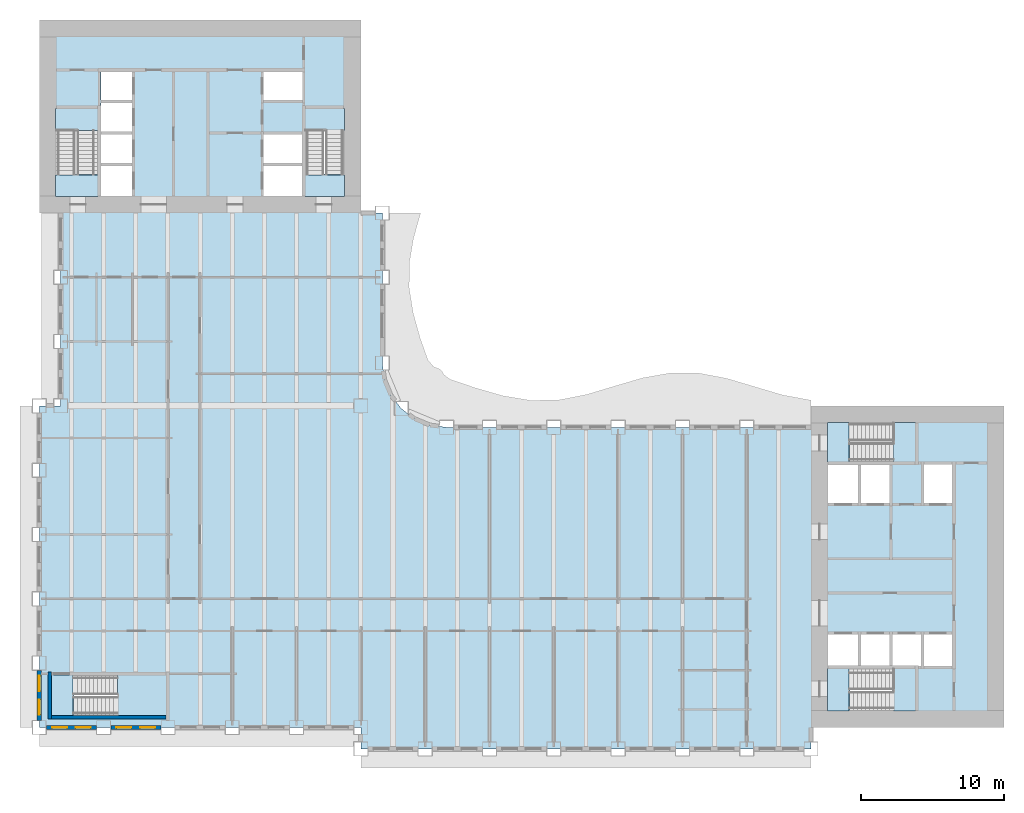
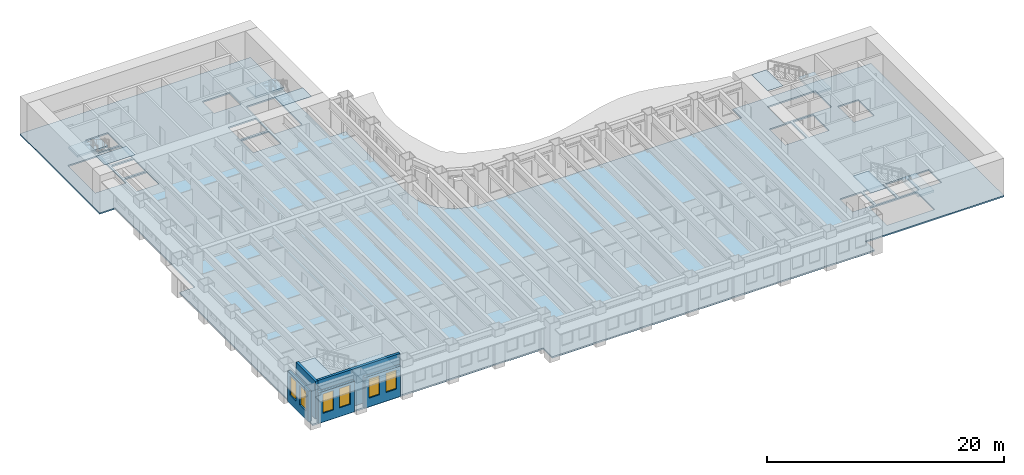
# One storey, part 2 of 16: 11 slabs, 6 windows, 5 walls, 6 openings, 5 elements without a shape of their own.
"""IFC4 building model written with IfcOpenShell, lengths in metres."""

from ifc_helpers import new_model, si_unit, direction, frame, frame_2d, origin, place, context, subcontext, project, spatial, polyline, rectangle, outline, extrude, material, layer, layer_set, type_object, element, fill, aggregate, save


model = new_model("IFC4")

# Units and contexts
model_context = context("Model", 3, precision=1e-05, world=origin(), true_north=direction((0.0, 1.0)))
body_context = subcontext(model_context, "Body", "Model", "MODEL_VIEW")
ifc_project = project(units=[si_unit("LENGTHUNIT", "METRE"), si_unit("AREAUNIT", "SQUARE_METRE"), si_unit("VOLUMEUNIT", "CUBIC_METRE"), si_unit("PLANEANGLEUNIT", "RADIAN"), si_unit("MASSUNIT", "GRAM", prefix="KILO")], contexts=[model_context])

# Site, building, storey
site_placement = place(None, origin())
site = spatial("IfcSite", under=ifc_project, at=site_placement, CompositionType="ELEMENT")
building_placement = place(site_placement, origin())
building = spatial("IfcBuilding", under=site, at=building_placement, Name="Sennacour Bend Tower", CompositionType="ELEMENT")
storey_placement = place(building_placement, frame((0.0, 0.0, 107.0)))
storey = spatial("IfcBuildingStorey", under=building, at=storey_placement, Name="L24", CompositionType="ELEMENT", Elevation=107.0)

# Slabs
ifc_material_1 = material(Name="Concrete C30/37", Category="concrete")
ifc_layer_1 = layer(ifc_material_1, 0.14990234375, Name="Concrete C30/37", Category="concrete")
ifc_layer_set_1 = layer_set([ifc_layer_1], Name="Concrete C30/37")
slab_type_1 = type_object("IfcSlabType", Name="Floor slab 150", PredefinedType="FLOOR", material=ifc_layer_set_1)
slab_1_placement = place(storey_placement, frame((0.0, 0.0, -0.14990234375)))
element("IfcSlab", 1, at=slab_1_placement, inside=storey, type_object=slab_type_1, Name="Floor slab L24-01", PredefinedType="FLOOR", context=body_context, shape_type="SweptSolid", body=[
    extrude(outline(polyline([(22.5, 0.0), (0.0, 0.0), (0.0, 22.5), (1.5, 22.5), (1.5, 36.0), (0.0, 36.0), (0.0, 49.5), (22.5, 49.5), (22.5, 36.0), (24.0, 36.0), (24.0, 25.5), (24.1533203125, 24.335205078125), (24.602783203125, 23.25), (25.318115234375, 22.318115234375), (26.25, 21.602783203125), (27.335205078125, 21.1533203125), (28.5, 21.0), (54.0, 21.0), (54.0, 22.5), (67.5, 22.5), (67.5, 0.0), (54.0, 0.0), (54.0, -1.5), (22.5, -1.5), (22.5, 0.0)]), holes=[polyline([(8.800048828125, 0.949951171875), (8.800048828125, 3.5), (2.429931640625, 3.5), (2.429931640625, 0.949951171875), (8.800048828125, 0.949951171875)]), polyline([(6.5, 37.199951171875), (6.5, 39.300048828125), (4.300048828125, 39.300048828125), (4.300048828125, 37.199951171875), (6.5, 37.199951171875)]), polyline([(18.39990234375, 37.199951171875), (18.39990234375, 39.300048828125), (15.699951171875, 39.300048828125), (15.699951171875, 37.199951171875), (18.39990234375, 37.199951171875)]), polyline([(6.5, 39.5), (6.5, 41.5), (4.300048828125, 41.5), (4.300048828125, 39.5), (6.5, 39.5)]), polyline([(18.39990234375, 39.5), (18.39990234375, 41.5), (15.699951171875, 41.5), (15.699951171875, 39.5), (18.39990234375, 39.5)]), polyline([(4.125, 38.72998046875), (4.125, 43.39990234375), (1.14990234375, 43.39990234375), (1.14990234375, 38.72998046875), (4.125, 38.72998046875)]), polyline([(21.35009765625, 38.72998046875), (21.35009765625, 43.39990234375), (18.574951171875, 43.39990234375), (18.574951171875, 38.72998046875), (21.35009765625, 38.72998046875)]), polyline([(4.300048828125, 41.699951171875), (6.5, 41.699951171875), (6.5, 43.699951171875), (4.300048828125, 43.699951171875), (4.300048828125, 41.699951171875)]), polyline([(4.300048828125, 43.89990234375), (6.5, 43.89990234375), (6.5, 45.89990234375), (4.300048828125, 45.89990234375), (4.300048828125, 43.89990234375)]), polyline([(18.39990234375, 43.89990234375), (18.39990234375, 45.89990234375), (15.699951171875, 45.89990234375), (15.699951171875, 43.89990234375), (18.39990234375, 43.89990234375)]), polyline([(61.39990234375, 1.14990234375), (61.39990234375, 4.125), (56.72998046875, 4.125), (56.72998046875, 1.14990234375), (61.39990234375, 1.14990234375)]), polyline([(57.300048828125, 4.300048828125), (57.300048828125, 6.5), (55.199951171875, 6.5), (55.199951171875, 4.300048828125), (57.300048828125, 4.300048828125)]), polyline([(57.5, 4.300048828125), (59.5, 4.300048828125), (59.5, 6.5), (57.5, 6.5), (57.5, 4.300048828125)]), polyline([(59.699951171875, 4.300048828125), (61.699951171875, 4.300048828125), (61.699951171875, 6.5), (59.699951171875, 6.5), (59.699951171875, 4.300048828125)]), polyline([(63.89990234375, 4.300048828125), (63.89990234375, 6.5), (61.89990234375, 6.5), (61.89990234375, 4.300048828125), (63.89990234375, 4.300048828125)]), polyline([(57.300048828125, 15.699951171875), (57.300048828125, 18.39990234375), (55.199951171875, 18.39990234375), (55.199951171875, 15.699951171875), (57.300048828125, 15.699951171875)]), polyline([(59.5, 15.699951171875), (59.5, 18.39990234375), (57.5, 18.39990234375), (57.5, 15.699951171875), (59.5, 15.699951171875)]), polyline([(61.89990234375, 15.699951171875), (63.89990234375, 15.699951171875), (63.89990234375, 18.39990234375), (61.89990234375, 18.39990234375), (61.89990234375, 15.699951171875)]), polyline([(56.72998046875, 18.574951171875), (61.39990234375, 18.574951171875), (61.39990234375, 21.35009765625), (56.72998046875, 21.35009765625), (56.72998046875, 18.574951171875)])]), origin(), (0.0, 0.0, 1.0), 0.14990234375),
])
ifc_material_2 = material(Name="Concrete C40/50", Category="concrete")
ifc_layer_2 = layer(ifc_material_2, 0.034912109375, Name="Concrete C40/50", Category="concrete")
ifc_layer_set_2 = layer_set([ifc_layer_2], Name="Concrete C40/50")
slab_type_2 = type_object("IfcSlabType", Name="Stair arrival nib 35", PredefinedType="FLOOR", material=ifc_layer_set_2)
slab_2_placement = place(storey_placement, frame((0.0, 0.0, 3.815185546875)))
element("IfcSlab", 2, at=slab_2_placement, inside=storey, type_object=slab_type_2, Name="L24 SA1 stair arrival nib", PredefinedType="FLOOR", context=body_context, shape_type="SweptSolid", body=[
    extrude(outline(polyline([(56.64208984375, 4.125), (55.14990234375, 4.125), (55.14990234375, 1.14990234375), (56.64208984375, 1.14990234375), (56.64208984375, 4.125)])), origin(), (0.0, 0.0, 1.0), 0.034912109375),
])
slab_3_placement = place(storey_placement, frame((0.0, 0.0, 3.815185546875)))
element("IfcSlab", 3, at=slab_3_placement, inside=storey, type_object=slab_type_2, Name="L24 SA2 stair arrival nib", PredefinedType="FLOOR", context=body_context, shape_type="SweptSolid", body=[
    extrude(outline(polyline([(56.64208984375, 21.35009765625), (55.14990234375, 21.35009765625), (55.14990234375, 18.574951171875), (56.64208984375, 18.574951171875), (56.64208984375, 21.35009765625)])), origin(), (0.0, 0.0, 1.0), 0.034912109375),
])
slab_4_placement = place(storey_placement, frame((0.0, 0.0, 3.815185546875)))
element("IfcSlab", 4, at=slab_4_placement, inside=storey, type_object=slab_type_2, Name="L24 SB1 stair arrival nib", PredefinedType="FLOOR", context=body_context, shape_type="SweptSolid", body=[
    extrude(outline(polyline([(1.14990234375, 38.64208984375), (1.14990234375, 37.14990234375), (4.125, 37.14990234375), (4.125, 38.64208984375), (1.14990234375, 38.64208984375)])), origin(), (0.0, 0.0, 1.0), 0.034912109375),
])
slab_5_placement = place(storey_placement, frame((0.0, 0.0, 3.815185546875)))
element("IfcSlab", 5, at=slab_5_placement, inside=storey, type_object=slab_type_2, Name="L24 SB2 stair arrival nib", PredefinedType="FLOOR", context=body_context, shape_type="SweptSolid", body=[
    extrude(outline(polyline([(18.574951171875, 38.64208984375), (18.574951171875, 37.14990234375), (21.35009765625, 37.14990234375), (21.35009765625, 38.64208984375), (18.574951171875, 38.64208984375)])), origin(), (0.0, 0.0, 1.0), 0.034912109375),
])
slab_6_placement = place(storey_placement, frame((0.0, 0.0, 3.815185546875)))
element("IfcSlab", 6, at=slab_6_placement, inside=storey, type_object=slab_type_2, Name="L24 SK1 stair arrival nib", PredefinedType="FLOOR", context=body_context, shape_type="SweptSolid", body=[
    extrude(outline(polyline([(2.342041015625, 3.675048828125), (0.800048828125, 3.675048828125), (0.800048828125, 0.800048828125), (2.342041015625, 0.800048828125), (2.342041015625, 3.675048828125)])), origin(), (0.0, 0.0, 1.0), 0.034912109375),
])

# Stair, slab
stair_type = type_object("IfcStairType", Name="ST-DOGLEG", PredefinedType="HALF_TURN_STAIR", material=ifc_material_2)
stair_1_placement = place(storey_placement, origin())
stair_1 = element("IfcStair", 7, at=stair_1_placement, inside=storey, type_object=stair_type, Name="L24 Exit stair A1", PredefinedType="HALF_TURN_STAIR")
ifc_layer_3 = layer(ifc_material_2, 0.199951171875, Name="Concrete C40/50", Category="concrete")
ifc_layer_set_3 = layer_set([ifc_layer_3], Name="Concrete C40/50")
slab_type_3 = type_object("IfcSlabType", Name="Stair landing 200", PredefinedType="LANDING", material=ifc_layer_set_3)
slab_7_placement = place(storey_placement, frame((0.0, 0.0, 1.800048828125)))
slab_7 = element("IfcSlab", 8, at=slab_7_placement, type_object=slab_type_3, Name="SA1 landing 1", PredefinedType="LANDING", context=body_context, shape_type="SweptSolid", body=[
    extrude(outline(polyline([(59.780029296875, 1.14990234375), (61.324951171875, 1.14990234375), (61.324951171875, 4.125), (59.780029296875, 4.125), (59.780029296875, 1.14990234375)])), origin(), (0.0, 0.0, 1.0), 0.199951171875),
])
aggregate(stair_1, [slab_7])

stair_2_placement = place(storey_placement, origin())
stair_2 = element("IfcStair", 9, at=stair_2_placement, inside=storey, type_object=stair_type, Name="L24 Exit stair A2", PredefinedType="HALF_TURN_STAIR")
slab_8_placement = place(storey_placement, frame((0.0, 0.0, 1.800048828125)))
slab_8 = element("IfcSlab", 10, at=slab_8_placement, type_object=slab_type_3, Name="SA2 landing 1", PredefinedType="LANDING", context=body_context, shape_type="SweptSolid", body=[
    extrude(outline(polyline([(59.780029296875, 18.574951171875), (61.324951171875, 18.574951171875), (61.324951171875, 21.35009765625), (59.780029296875, 21.35009765625), (59.780029296875, 18.574951171875)])), origin(), (0.0, 0.0, 1.0), 0.199951171875),
])
aggregate(stair_2, [slab_8])

stair_3_placement = place(storey_placement, origin())
stair_3 = element("IfcStair", 11, at=stair_3_placement, inside=storey, type_object=stair_type, Name="L24 Exit stair B1", PredefinedType="HALF_TURN_STAIR")
slab_9_placement = place(storey_placement, frame((0.0, 0.0, 1.800048828125)))
slab_9 = element("IfcSlab", 12, at=slab_9_placement, type_object=slab_type_3, Name="SB1 landing 1", PredefinedType="LANDING", context=body_context, shape_type="SweptSolid", body=[
    extrude(outline(polyline([(1.14990234375, 41.780029296875), (4.125, 41.780029296875), (4.125, 43.324951171875), (1.14990234375, 43.324951171875), (1.14990234375, 41.780029296875)])), origin(), (0.0, 0.0, 1.0), 0.199951171875),
])
aggregate(stair_3, [slab_9])

stair_4_placement = place(storey_placement, origin())
stair_4 = element("IfcStair", 13, at=stair_4_placement, inside=storey, type_object=stair_type, Name="L24 Exit stair B2", PredefinedType="HALF_TURN_STAIR")
slab_10_placement = place(storey_placement, frame((0.0, 0.0, 1.800048828125)))
slab_10 = element("IfcSlab", 14, at=slab_10_placement, type_object=slab_type_3, Name="SB2 landing 1", PredefinedType="LANDING", context=body_context, shape_type="SweptSolid", body=[
    extrude(outline(polyline([(18.574951171875, 41.780029296875), (21.35009765625, 41.780029296875), (21.35009765625, 43.324951171875), (18.574951171875, 43.324951171875), (18.574951171875, 41.780029296875)])), origin(), (0.0, 0.0, 1.0), 0.199951171875),
])
aggregate(stair_4, [slab_10])

stair_5_placement = place(storey_placement, origin())
stair_5 = element("IfcStair", 15, at=stair_5_placement, inside=storey, type_object=stair_type, Name="L24 Exit stair K1", PredefinedType="HALF_TURN_STAIR")
slab_11_placement = place(storey_placement, frame((0.0, 0.0, 1.800048828125)))
slab_11 = element("IfcSlab", 16, at=slab_11_placement, type_object=slab_type_3, Name="SK1 landing 1", PredefinedType="LANDING", context=body_context, shape_type="SweptSolid", body=[
    extrude(outline(polyline([(5.47998046875, 0.800048828125), (8.925048828125, 0.800048828125), (8.925048828125, 3.675048828125), (5.47998046875, 3.675048828125), (5.47998046875, 0.800048828125)])), origin(), (0.0, 0.0, 1.0), 0.199951171875),
])
aggregate(stair_5, [slab_11])

# Wall, openings, windows
ifc_material_3 = material(Name="Warm limestone cladding", Category="masonry")
ifc_layer_4 = layer(ifc_material_3, 0.050048828125, Name="Warm limestone cladding", Category="masonry")
ifc_material_4 = material(Name="Precast concrete C40/50", Category="concrete")
ifc_layer_5 = layer(ifc_material_4, 0.25, Name="Precast concrete C40/50", Category="concrete")
ifc_layer_set_4 = layer_set([ifc_layer_4, ifc_layer_5], Name="Precast concrete C40/50 with limestone cladding")
wall_type_1 = type_object("IfcWallType", Name="STONE-CLAD PRECAST SPANDREL 300", PredefinedType="STANDARD", material=ifc_layer_set_4)
wall_1_placement = place(storey_placement, frame((0.0, 4.0, 0.0), z_axis=(0.0, 0.0, 1.0), x_axis=(0.0, -1.0, 0.0)))
wall_1 = element("IfcWall", 17, at=wall_1_placement, inside=storey, type_object=wall_type_1, Name="Stone spandrel and pier wall L24 21.04", PredefinedType="STANDARD", context=body_context, shape_type="SweptSolid", body=[
    extrude(rectangle(XDim=3.5, YDim=0.300048828125, at=frame_2d((1.75, 0.0))), origin(), (0.0, 0.0, 1.0), 3.154052734375),
])
opening_1_placement = place(wall_1_placement, frame((0.39990234375, 0.0, 0.89990234375)))
opening_1 = element("IfcOpeningElement", 18, at=opening_1_placement, cuts=wall_1, Name="Opening W13", PredefinedType="OPENING", context=body_context, shape_type="SweptSolid", body=[
    extrude(rectangle(XDim=1.050048828125, YDim=2.0, at=frame_2d((0.52490234375, 1.0))), frame((0.0, 0.16015625, 0.0), z_axis=(0.0, -1.0, 0.0), x_axis=(1.0, 0.0, 0.0)), (0.0, 0.0, 1.0), 0.320068359375),
])
opening_2_placement = place(wall_1_placement, frame((2.050048828125, 0.0, 0.89990234375)))
opening_2 = element("IfcOpeningElement", 19, at=opening_2_placement, cuts=wall_1, Name="Opening W13", PredefinedType="OPENING", context=body_context, shape_type="SweptSolid", body=[
    extrude(rectangle(XDim=1.050048828125, YDim=2.0, at=frame_2d((0.52490234375, 1.0))), frame((0.0, 0.16015625, 0.0), z_axis=(0.0, -1.0, 0.0), x_axis=(1.0, 0.0, 0.0)), (0.0, 0.0, 1.0), 0.320068359375),
])
ifc_material_5 = material(Name="Clear low-emissivity glass", Category="glass")
window_type = type_object("IfcWindowType", Name="WIN-RIBBON-1050x2000", PartitioningType="SINGLE_PANEL", PredefinedType="WINDOW", material=ifc_material_5)
window_1_placement = place(opening_1_placement, origin())
window_1 = element("IfcWindow", 20, at=window_1_placement, inside=storey, type_object=window_type, Name="Ribbon window L24 21.04.0", OverallHeight=2.0, OverallWidth=1.050048828125, PartitioningType="SINGLE_PANEL", PredefinedType="WINDOW", context=body_context, shape_type="SweptSolid", body=[
    extrude(rectangle(XDim=1.050048828125, YDim=2.0, at=frame_2d((0.52490234375, 1.0))), frame((0.0, 0.030029296875, 0.0), z_axis=(0.0, -1.0, 0.0), x_axis=(1.0, 0.0, 0.0)), (0.0, 0.0, 1.0), 0.06005859375),
])
fill(opening_1, window_1)
window_2_placement = place(opening_2_placement, origin())
window_2 = element("IfcWindow", 21, at=window_2_placement, inside=storey, type_object=window_type, Name="Ribbon window L24 21.04.1", OverallHeight=2.0, OverallWidth=1.050048828125, PartitioningType="SINGLE_PANEL", PredefinedType="WINDOW", context=body_context, shape_type="SweptSolid", body=[
    extrude(rectangle(XDim=1.050048828125, YDim=2.0, at=frame_2d((0.52490234375, 1.0))), frame((0.0, 0.030029296875, 0.0), z_axis=(0.0, -1.0, 0.0), x_axis=(1.0, 0.0, 0.0)), (0.0, 0.0, 1.0), 0.06005859375),
])
fill(opening_2, window_2)

wall_2_placement = place(storey_placement, frame((0.5, 0.0, 0.0), z_axis=(0.0, 0.0, 1.0), x_axis=(1.0, 0.0, 0.0)))
wall_2 = element("IfcWall", 22, at=wall_2_placement, inside=storey, type_object=wall_type_1, Name="Stone spandrel and pier wall L24 22.00", PredefinedType="STANDARD", context=body_context, shape_type="SweptSolid", body=[
    extrude(rectangle(XDim=3.5, YDim=0.300048828125, at=frame_2d((1.75, 0.0))), origin(), (0.0, 0.0, 1.0), 3.154052734375),
])
opening_3_placement = place(wall_2_placement, frame((0.39990234375, 0.0, 0.89990234375)))
opening_3 = element("IfcOpeningElement", 23, at=opening_3_placement, cuts=wall_2, Name="Opening W13", PredefinedType="OPENING", context=body_context, shape_type="SweptSolid", body=[
    extrude(rectangle(XDim=1.050048828125, YDim=2.0, at=frame_2d((0.52490234375, 1.0))), frame((0.0, 0.16015625, 0.0), z_axis=(0.0, -1.0, 0.0), x_axis=(1.0, 0.0, 0.0)), (0.0, 0.0, 1.0), 0.320068359375),
])
opening_4_placement = place(wall_2_placement, frame((2.050048828125, 0.0, 0.89990234375)))
opening_4 = element("IfcOpeningElement", 24, at=opening_4_placement, cuts=wall_2, Name="Opening W13", PredefinedType="OPENING", context=body_context, shape_type="SweptSolid", body=[
    extrude(rectangle(XDim=1.050048828125, YDim=2.0, at=frame_2d((0.52490234375, 1.0))), frame((0.0, 0.16015625, 0.0), z_axis=(0.0, -1.0, 0.0), x_axis=(1.0, 0.0, 0.0)), (0.0, 0.0, 1.0), 0.320068359375),
])
window_3_placement = place(opening_3_placement, origin())
window_3 = element("IfcWindow", 25, at=window_3_placement, inside=storey, type_object=window_type, Name="Ribbon window L24 22.00.0", OverallHeight=2.0, OverallWidth=1.050048828125, PartitioningType="SINGLE_PANEL", PredefinedType="WINDOW", context=body_context, shape_type="SweptSolid", body=[
    extrude(rectangle(XDim=1.050048828125, YDim=2.0, at=frame_2d((0.52490234375, 1.0))), frame((0.0, 0.030029296875, 0.0), z_axis=(0.0, -1.0, 0.0), x_axis=(1.0, 0.0, 0.0)), (0.0, 0.0, 1.0), 0.06005859375),
])
fill(opening_3, window_3)
window_4_placement = place(opening_4_placement, origin())
window_4 = element("IfcWindow", 26, at=window_4_placement, inside=storey, type_object=window_type, Name="Ribbon window L24 22.00.1", OverallHeight=2.0, OverallWidth=1.050048828125, PartitioningType="SINGLE_PANEL", PredefinedType="WINDOW", context=body_context, shape_type="SweptSolid", body=[
    extrude(rectangle(XDim=1.050048828125, YDim=2.0, at=frame_2d((0.52490234375, 1.0))), frame((0.0, 0.030029296875, 0.0), z_axis=(0.0, -1.0, 0.0), x_axis=(1.0, 0.0, 0.0)), (0.0, 0.0, 1.0), 0.06005859375),
])
fill(opening_4, window_4)

wall_3_placement = place(storey_placement, frame((5.0, 0.0, 0.0), z_axis=(0.0, 0.0, 1.0), x_axis=(1.0, 0.0, 0.0)))
wall_3 = element("IfcWall", 27, at=wall_3_placement, inside=storey, type_object=wall_type_1, Name="Stone spandrel and pier wall L24 22.01", PredefinedType="STANDARD", context=body_context, shape_type="SweptSolid", body=[
    extrude(rectangle(XDim=3.5, YDim=0.300048828125, at=frame_2d((1.75, 0.0))), origin(), (0.0, 0.0, 1.0), 3.154052734375),
])
opening_5_placement = place(wall_3_placement, frame((0.39990234375, 0.0, 0.89990234375)))
opening_5 = element("IfcOpeningElement", 28, at=opening_5_placement, cuts=wall_3, Name="Opening W13", PredefinedType="OPENING", context=body_context, shape_type="SweptSolid", body=[
    extrude(rectangle(XDim=1.050048828125, YDim=2.0, at=frame_2d((0.52490234375, 1.0))), frame((0.0, 0.16015625, 0.0), z_axis=(0.0, -1.0, 0.0), x_axis=(1.0, 0.0, 0.0)), (0.0, 0.0, 1.0), 0.320068359375),
])
opening_6_placement = place(wall_3_placement, frame((2.050048828125, 0.0, 0.89990234375)))
opening_6 = element("IfcOpeningElement", 29, at=opening_6_placement, cuts=wall_3, Name="Opening W13", PredefinedType="OPENING", context=body_context, shape_type="SweptSolid", body=[
    extrude(rectangle(XDim=1.050048828125, YDim=2.0, at=frame_2d((0.52490234375, 1.0))), frame((0.0, 0.16015625, 0.0), z_axis=(0.0, -1.0, 0.0), x_axis=(1.0, 0.0, 0.0)), (0.0, 0.0, 1.0), 0.320068359375),
])
window_5_placement = place(opening_5_placement, origin())
window_5 = element("IfcWindow", 30, at=window_5_placement, inside=storey, type_object=window_type, Name="Ribbon window L24 22.01.0", OverallHeight=2.0, OverallWidth=1.050048828125, PartitioningType="SINGLE_PANEL", PredefinedType="WINDOW", context=body_context, shape_type="SweptSolid", body=[
    extrude(rectangle(XDim=1.050048828125, YDim=2.0, at=frame_2d((0.52490234375, 1.0))), frame((0.0, 0.030029296875, 0.0), z_axis=(0.0, -1.0, 0.0), x_axis=(1.0, 0.0, 0.0)), (0.0, 0.0, 1.0), 0.06005859375),
])
fill(opening_5, window_5)
window_6_placement = place(opening_6_placement, origin())
window_6 = element("IfcWindow", 31, at=window_6_placement, inside=storey, type_object=window_type, Name="Ribbon window L24 22.01.1", OverallHeight=2.0, OverallWidth=1.050048828125, PartitioningType="SINGLE_PANEL", PredefinedType="WINDOW", context=body_context, shape_type="SweptSolid", body=[
    extrude(rectangle(XDim=1.050048828125, YDim=2.0, at=frame_2d((0.52490234375, 1.0))), frame((0.0, 0.030029296875, 0.0), z_axis=(0.0, -1.0, 0.0), x_axis=(1.0, 0.0, 0.0)), (0.0, 0.0, 1.0), 0.06005859375),
])
fill(opening_6, window_6)

# Walls
ifc_material_6 = material(Name="Concrete C60/75", Category="concrete")
ifc_layer_6 = layer(ifc_material_6, 0.25, Name="Concrete C60/75", Category="concrete")
ifc_layer_set_5 = layer_set([ifc_layer_6], Name="Concrete C60/75")
wall_type_2 = type_object("IfcWallType", Name="Stair wall 250", PredefinedType="SHEAR", material=ifc_layer_set_5)
wall_4_placement = place(storey_placement, frame((0.72509765625, 0.60009765625, 0.0), z_axis=(0.0, 0.0, 1.0), x_axis=(0.0, 1.0, 0.0)))
element("IfcWall", 32, at=wall_4_placement, inside=storey, type_object=wall_type_2, Name="P-L24-W002", PredefinedType="SHEAR", context=body_context, shape_type="SweptSolid", body=[
    extrude(rectangle(XDim=3.27490234375, YDim=0.25, at=frame_2d((1.637451171875, 0.0))), origin(), (0.0, 0.0, 1.0), 3.85009765625),
])
wall_5_placement = place(storey_placement, frame((0.85009765625, 0.72509765625, 0.0), z_axis=(0.0, 0.0, 1.0), x_axis=(1.0, 0.0, 0.0)))
element("IfcWall", 33, at=wall_5_placement, inside=storey, type_object=wall_type_2, Name="P-L24-W047", PredefinedType="SHEAR", context=body_context, shape_type="SweptSolid", body=[
    extrude(rectangle(XDim=8.02490234375, YDim=0.25, at=frame_2d((4.012451171875, 0.0))), origin(), (0.0, 0.0, 1.0), 3.85009765625),
])

save(model, "model.ifc")
